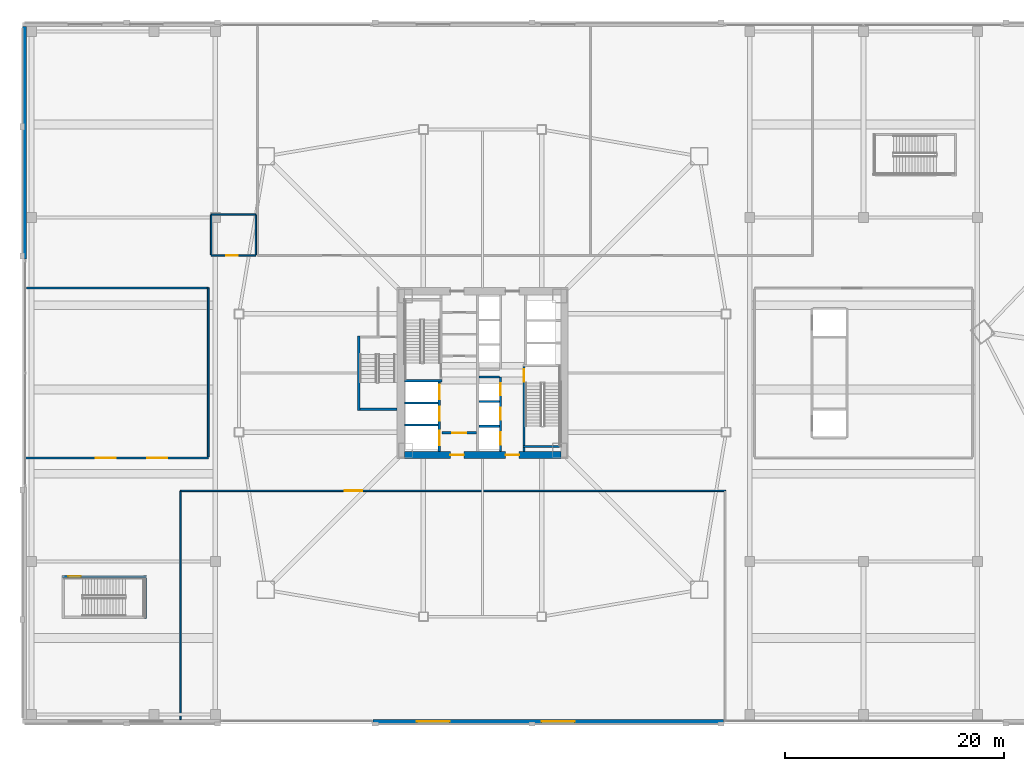
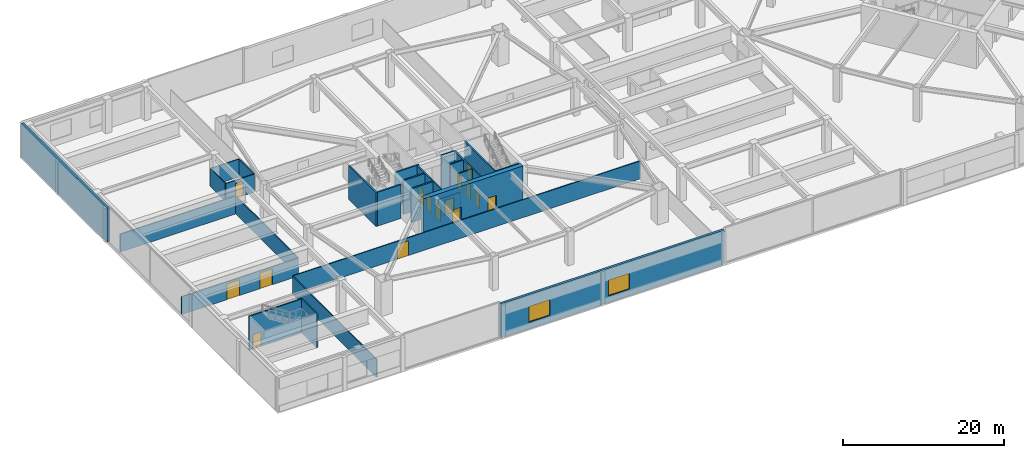
# One storey, part 34 of 48: 27 walls, 15 doors, 2 windows, 17 openings.
"""IFC4 building model written with IfcOpenShell, lengths in metres."""

from ifc_helpers import new_model, si_unit, direction, frame, frame_2d, origin, place, context, subcontext, project, spatial, rectangle, extrude, material, layer, layer_set, type_object, element, fill, save


model = new_model("IFC4")

# Units and contexts
model_context = context("Model", 3, precision=1e-05, world=origin(), true_north=direction((0.0, 1.0)))
body_context = subcontext(model_context, "Body", "Model", "MODEL_VIEW")
ifc_project = project(units=[si_unit("LENGTHUNIT", "METRE"), si_unit("AREAUNIT", "SQUARE_METRE"), si_unit("VOLUMEUNIT", "CUBIC_METRE"), si_unit("PLANEANGLEUNIT", "RADIAN"), si_unit("MASSUNIT", "GRAM", prefix="KILO")], contexts=[model_context])

# Site, building, storey
site_placement = place(None, origin())
site = spatial("IfcSite", under=ifc_project, at=site_placement, CompositionType="ELEMENT")
building_placement = place(site_placement, origin())
building = spatial("IfcBuilding", under=site, at=building_placement, Name="Tashvorn Skyway Center", CompositionType="ELEMENT")
storey_placement = place(building_placement, frame((0.0, 0.0, 10.199951171875)))
storey = spatial("IfcBuildingStorey", under=building, at=storey_placement, Name="L02", CompositionType="ELEMENT", Elevation=10.199951171875)

# Wall, openings, doors
ifc_material_1 = material(Name="Concrete C60/75", Category="concrete")
ifc_layer_1 = layer(ifc_material_1, 0.64990234375)
ifc_layer_set_1 = layer_set([ifc_layer_1], Name="Concrete C60/75")
wall_type_1 = type_object("IfcWallType", Name="WALL-CORE-650", PredefinedType="SHEAR", material=ifc_layer_set_1)
wall_1_placement = place(storey_placement, frame((49.14990234375, 24.52490234375, 0.0), z_axis=(0.0, 0.0, 1.0), x_axis=(-1.0, 0.0, 0.0)))
wall_1 = element("IfcWall", 1, at=wall_1_placement, inside=storey, type_object=wall_type_1, Name="Tower 1 L02 South Core Shear Wall", PredefinedType="SHEAR", context=body_context, shape_type="SweptSolid", body=[
    extrude(rectangle(XDim=14.2998046875, YDim=0.64990234375, at=frame_2d((7.14990234375, 0.0))), origin(), (0.0, 0.0, 1.0), 5.400146484375),
])
opening_1_placement = place(wall_1_placement, frame((8.85009765625, 0.0, 0.0)))
opening_1 = element("IfcOpeningElement", 2, at=opening_1_placement, cuts=wall_1, Name="Opening D-FFL-1250", PredefinedType="OPENING", context=body_context, shape_type="SweptSolid", body=[
    extrude(rectangle(XDim=1.25, YDim=2.25, at=frame_2d((0.625, 1.125))), frame((0.0, 0.3349609375, 0.0), z_axis=(0.0, -1.0, 0.0), x_axis=(1.0, 0.0, 0.0)), (0.0, 0.0, 1.0), 0.669921875),
])
opening_2_placement = place(wall_1_placement, frame((3.800048828125, 0.0, 0.0)))
opening_2 = element("IfcOpeningElement", 3, at=opening_2_placement, cuts=wall_1, Name="Opening D-FFL-1250", PredefinedType="OPENING", context=body_context, shape_type="SweptSolid", body=[
    extrude(rectangle(XDim=1.25, YDim=2.25, at=frame_2d((0.625, 1.125))), frame((0.0, 0.3349609375, 0.0), z_axis=(0.0, -1.0, 0.0), x_axis=(1.0, 0.0, 0.0)), (0.0, 0.0, 1.0), 0.669921875),
])
ifc_material_2 = material(Name="Hollow galvanized steel fire door assembly", Category="steel")
door_type_1 = type_object("IfcDoorType", Name="DOOR-FFL-1250", OperationType="NOTDEFINED", PredefinedType="DOOR", material=ifc_material_2)
door_1_placement = place(opening_1_placement, origin())
door_1 = element("IfcDoor", 4, at=door_1_placement, inside=storey, type_object=door_type_1, Name="Tower 1 L02 Core South Firefighting Exit Door", OperationType="SINGLE_SWING_LEFT", OverallHeight=2.25, OverallWidth=1.25, PredefinedType="DOOR", context=body_context, shape_type="SweptSolid", body=[
    extrude(rectangle(XDim=1.25, YDim=2.25, at=frame_2d((0.625, 1.125))), frame((0.0, 0.02490234375, 0.0), z_axis=(0.0, -1.0, 0.0), x_axis=(1.0, 0.0, 0.0)), (0.0, 0.0, 1.0), 0.050048828125),
])
fill(opening_1, door_1)
door_2_placement = place(opening_2_placement, origin())
door_2 = element("IfcDoor", 5, at=door_2_placement, inside=storey, type_object=door_type_1, Name="Tower 1 L02 Core South Lift Lobby Door", OperationType="SINGLE_SWING_RIGHT", OverallHeight=2.25, OverallWidth=1.25, PredefinedType="DOOR", context=body_context, shape_type="SweptSolid", body=[
    extrude(rectangle(XDim=1.25, YDim=2.25, at=frame_2d((0.625, 1.125))), frame((0.0, 0.02490234375, 0.0), z_axis=(0.0, -1.0, 0.0), x_axis=(1.0, 0.0, 0.0)), (0.0, 0.0, 1.0), 0.050048828125),
])
fill(opening_2, door_2)

# Wall, openings, windows
ifc_material_3 = material(Name="Precast concrete C40/50", Category="concrete")
ifc_layer_2 = layer(ifc_material_3, 0.35009765625)
ifc_layer_set_2 = layer_set([ifc_layer_2], Name="Precast concrete C40/50")
wall_type_2 = type_object("IfcWallType", Name="WALL-EXT-350", PredefinedType="SOLIDWALL", material=ifc_layer_set_2)
wall_2_placement = place(storey_placement, frame((64.0, 0.175048828125, 0.0), z_axis=(0.0, 0.0, 1.0), x_axis=(-1.0, 0.0, 0.0)))
wall_2 = element("IfcWall", 6, at=wall_2_placement, inside=storey, type_object=wall_type_2, Name="L02 South Postmodern Pier Wall M1", PredefinedType="SOLIDWALL", context=body_context, shape_type="SweptSolid", body=[
    extrude(rectangle(XDim=32.0, YDim=0.35009765625, at=frame_2d((16.0, 0.0))), origin(), (0.0, 0.0, 1.0), 5.14013671875),
])
opening_3_placement = place(wall_2_placement, frame((25.0, 0.0, 0.949951171875)))
opening_3 = element("IfcOpeningElement", 7, at=opening_3_placement, cuts=wall_2, Name="Opening WIN-3000", PredefinedType="OPENING", context=body_context, shape_type="SweptSolid", body=[
    extrude(rectangle(XDim=3.0, YDim=2.39990234375, at=frame_2d((1.5, 1.199951171875))), frame((0.0, 0.18505859375, 0.0), z_axis=(0.0, -1.0, 0.0), x_axis=(1.0, 0.0, 0.0)), (0.0, 0.0, 1.0), 0.3701171875),
])
opening_4_placement = place(wall_2_placement, frame((13.60009765625, 0.0, 0.949951171875)))
opening_4 = element("IfcOpeningElement", 8, at=opening_4_placement, cuts=wall_2, Name="Opening WIN-3000", PredefinedType="OPENING", context=body_context, shape_type="SweptSolid", body=[
    extrude(rectangle(XDim=3.0, YDim=2.39990234375, at=frame_2d((1.5, 1.199951171875))), frame((0.0, 0.18505859375, 0.0), z_axis=(0.0, -1.0, 0.0), x_axis=(1.0, 0.0, 0.0)), (0.0, 0.0, 1.0), 0.3701171875),
])
ifc_material_4 = material(Name="Low-E solar-control double insulating safety glass", Category="glass")
window_type = type_object("IfcWindowType", Name="WIN-POD-3000", PartitioningType="SINGLE_PANEL", PredefinedType="WINDOW", material=ifc_material_4)
window_1_placement = place(opening_3_placement, origin())
window_1 = element("IfcWindow", 9, at=window_1_placement, inside=storey, type_object=window_type, Name="L02 South Station Pier Window 03", OverallHeight=2.39990234375, OverallWidth=3.0, PartitioningType="SINGLE_PANEL", PredefinedType="WINDOW", context=body_context, shape_type="SweptSolid", body=[
    extrude(rectangle(XDim=3.0, YDim=2.39990234375, at=frame_2d((1.5, 1.199951171875))), frame((0.0, 0.030029296875, 0.0), z_axis=(0.0, -1.0, 0.0), x_axis=(1.0, 0.0, 0.0)), (0.0, 0.0, 1.0), 0.06005859375),
])
fill(opening_3, window_1)
window_2_placement = place(opening_4_placement, origin())
window_2 = element("IfcWindow", 10, at=window_2_placement, inside=storey, type_object=window_type, Name="L02 South Station Pier Window 04", OverallHeight=2.39990234375, OverallWidth=3.0, PartitioningType="SINGLE_PANEL", PredefinedType="WINDOW", context=body_context, shape_type="SweptSolid", body=[
    extrude(rectangle(XDim=3.0, YDim=2.39990234375, at=frame_2d((1.5, 1.199951171875))), frame((0.0, 0.030029296875, 0.0), z_axis=(0.0, -1.0, 0.0), x_axis=(1.0, 0.0, 0.0)), (0.0, 0.0, 1.0), 0.06005859375),
])
fill(opening_4, window_2)

# Wall
wall_3_placement = place(storey_placement, frame((0.175048828125, 42.39990234375, 0.0), z_axis=(0.0, 0.0, 1.0), x_axis=(0.0, 1.0, 0.0)))
element("IfcWall", 11, at=wall_3_placement, inside=storey, type_object=wall_type_2, Name="L02 West-North Postmodern Facade Wall", PredefinedType="SOLIDWALL", context=body_context, shape_type="SweptSolid", body=[
    extrude(rectangle(XDim=21.25, YDim=0.35009765625, at=frame_2d((10.625, 0.0))), origin(), (0.0, 0.0, 1.0), 5.14013671875),
])

# Wall, opening, door
ifc_material_5 = material(Name="Concrete C40/50", Category="concrete")
ifc_layer_3 = layer(ifc_material_5, 0.219970703125)
ifc_layer_set_3 = layer_set([ifc_layer_3], Name="Concrete C40/50")
wall_type_3 = type_object("IfcWallType", Name="WALL-FFL-220", PredefinedType="SOLIDWALL", material=ifc_layer_set_3)
wall_4_placement = place(storey_placement, frame((38.300048828125, 26.5400390625, 0.0), z_axis=(0.0, 0.0, 1.0), x_axis=(1.0, 0.0, 0.0)))
wall_4 = element("IfcWall", 12, at=wall_4_placement, inside=storey, type_object=wall_type_3, Name="Tower 1 L02 Firefighting Lobby South Wall", PredefinedType="SOLIDWALL", context=body_context, shape_type="SweptSolid", body=[
    extrude(rectangle(XDim=3.14990234375, YDim=0.219970703125, at=frame_2d((1.574951171875, 0.0))), origin(), (0.0, 0.0, 1.0), 2.7099609375),
])
opening_5_placement = place(wall_4_placement, frame((0.949951171875, 0.0, 0.0)))
opening_5 = element("IfcOpeningElement", 13, at=opening_5_placement, cuts=wall_4, Name="Opening D-FFL-1250", PredefinedType="OPENING", context=body_context, shape_type="SweptSolid", body=[
    extrude(rectangle(XDim=1.25, YDim=2.25, at=frame_2d((0.625, 1.125))), frame((0.0, 0.119873046875, 0.0), z_axis=(0.0, -1.0, 0.0), x_axis=(1.0, 0.0, 0.0)), (0.0, 0.0, 1.0), 0.239990234375),
])
door_3_placement = place(opening_5_placement, origin())
door_3 = element("IfcDoor", 14, at=door_3_placement, inside=storey, type_object=door_type_1, Name="Tower 1 L02 Firefighting Lobby Egress Door", OperationType="SINGLE_SWING_LEFT", OverallHeight=2.25, OverallWidth=1.25, PredefinedType="DOOR", context=body_context, shape_type="SweptSolid", body=[
    extrude(rectangle(XDim=1.25, YDim=2.25, at=frame_2d((0.625, 1.125))), frame((0.0, 0.02490234375, 0.0), z_axis=(0.0, -1.0, 0.0), x_axis=(1.0, 0.0, 0.0)), (0.0, 0.0, 1.0), 0.050048828125),
])
fill(opening_5, door_3)

ifc_material_6 = material(Name="Gypsum board on cold-formed steel stud framing", Category="steel")
ifc_layer_4 = layer(ifc_material_6, 0.135009765625)
ifc_layer_set_4 = layer_set([ifc_layer_4], Name="Gypsum board on cold-formed steel stud framing")
wall_type_4 = type_object("IfcWallType", Name="WALL-PART-135", PredefinedType="PARTITIONING", material=ifc_layer_set_4)
wall_5_placement = place(storey_placement, frame((14.39990234375, 21.25, 0.0), z_axis=(0.0, 0.0, 1.0), x_axis=(1.0, 0.0, 0.0)))
wall_5 = element("IfcWall", 15, at=wall_5_placement, inside=storey, type_object=wall_type_4, Name="L02 South Suite Corridor Wall", PredefinedType="PARTITIONING", context=body_context, shape_type="SweptSolid", body=[
    extrude(rectangle(XDim=49.800048828125, YDim=0.135009765625, at=frame_2d((24.89990234375, 0.0))), origin(), (0.0, 0.0, 1.0), 2.7099609375),
])
opening_6_placement = place(wall_5_placement, frame((15.0, 0.0, 0.0)))
opening_6 = element("IfcOpeningElement", 16, at=opening_6_placement, cuts=wall_5, Name="Opening D-DBL-1600", PredefinedType="OPENING", context=body_context, shape_type="SweptSolid", body=[
    extrude(rectangle(XDim=1.60009765625, YDim=2.25, at=frame_2d((0.800048828125, 1.125))), frame((0.0, 0.077392578125, 0.0), z_axis=(0.0, -1.0, 0.0), x_axis=(1.0, 0.0, 0.0)), (0.0, 0.0, 1.0), 0.155029296875),
])
ifc_material_7 = material(Name="Anodized aluminium and tempered safety glass", Category="aluminium")
door_type_2 = type_object("IfcDoorType", Name="DOOR-DBL-1600", OperationType="DOUBLE_DOOR_SINGLE_SWING", PredefinedType="DOOR", material=ifc_material_7)
door_4_placement = place(opening_6_placement, origin())
door_4 = element("IfcDoor", 17, at=door_4_placement, inside=storey, type_object=door_type_2, Name="L02 South Briefing Suite Door", OperationType="DOUBLE_DOOR_SINGLE_SWING", OverallHeight=2.25, OverallWidth=1.60009765625, PredefinedType="DOOR", context=body_context, shape_type="SweptSolid", body=[
    extrude(rectangle(XDim=1.60009765625, YDim=2.25, at=frame_2d((0.800048828125, 1.125))), frame((0.0, 0.02490234375, 0.0), z_axis=(0.0, -1.0, 0.0), x_axis=(1.0, 0.0, 0.0)), (0.0, 0.0, 1.0), 0.050048828125),
])
fill(opening_6, door_4)

# Wall
wall_6_placement = place(storey_placement, frame((14.39990234375, 0.35009765625, 0.0), z_axis=(0.0, 0.0, 1.0), x_axis=(0.0, 1.0, 0.0)))
element("IfcWall", 18, at=wall_6_placement, inside=storey, type_object=wall_type_4, Name="L02 South Suite West Wall", PredefinedType="PARTITIONING", context=body_context, shape_type="SweptSolid", body=[
    extrude(rectangle(XDim=20.849853515625, YDim=0.135009765625, at=frame_2d((10.4248046875, 0.0))), origin(), (0.0, 0.0, 1.0), 2.7099609375),
])

# Wall, opening, door
wall_7_placement = place(storey_placement, frame((17.199951171875, 42.719970703125, 0.0), z_axis=(0.0, 0.0, 1.0), x_axis=(1.0, 0.0, 0.0)))
wall_7 = element("IfcWall", 19, at=wall_7_placement, inside=storey, type_object=wall_type_4, Name="L02 Restroom South Wall", PredefinedType="PARTITIONING", context=body_context, shape_type="SweptSolid", body=[
    extrude(rectangle(XDim=4.10009765625, YDim=0.135009765625, at=frame_2d((2.050048828125, 0.0))), origin(), (0.0, 0.0, 1.0), 2.7099609375),
])
opening_7_placement = place(wall_7_placement, frame((1.39990234375, 0.0, 0.0)))
opening_7 = element("IfcOpeningElement", 20, at=opening_7_placement, cuts=wall_7, Name="Opening D-ACC-1050", PredefinedType="OPENING", context=body_context, shape_type="SweptSolid", body=[
    extrude(rectangle(XDim=1.050048828125, YDim=2.199951171875, at=frame_2d((0.52490234375, 1.10009765625))), frame((0.0, 0.077392578125, 0.0), z_axis=(0.0, -1.0, 0.0), x_axis=(1.0, 0.0, 0.0)), (0.0, 0.0, 1.0), 0.155029296875),
])
ifc_material_8 = material(Name="Solid-core architectural oak veneer door")
door_type_3 = type_object("IfcDoorType", Name="DOOR-ACC-1050", OperationType="NOTDEFINED", PredefinedType="DOOR", material=ifc_material_8)
door_5_placement = place(opening_7_placement, origin())
door_5 = element("IfcDoor", 21, at=door_5_placement, inside=storey, type_object=door_type_3, Name="L02 Accessible Restroom Door", OperationType="SINGLE_SWING_RIGHT", OverallHeight=2.199951171875, OverallWidth=1.050048828125, PredefinedType="DOOR", context=body_context, shape_type="SweptSolid", body=[
    extrude(rectangle(XDim=1.050048828125, YDim=2.199951171875, at=frame_2d((0.52490234375, 1.10009765625))), frame((0.0, 0.02490234375, 0.0), z_axis=(0.0, -1.0, 0.0), x_axis=(1.0, 0.0, 0.0)), (0.0, 0.0, 1.0), 0.050048828125),
])
fill(opening_7, door_5)

# Walls
wall_8_placement = place(storey_placement, frame((17.199951171875, 46.5, 0.0), z_axis=(0.0, 0.0, 1.0), x_axis=(1.0, 0.0, 0.0)))
element("IfcWall", 22, at=wall_8_placement, inside=storey, type_object=wall_type_4, Name="L02 Restroom North Wall", PredefinedType="PARTITIONING", context=body_context, shape_type="SweptSolid", body=[
    extrude(rectangle(XDim=4.10009765625, YDim=0.135009765625, at=frame_2d((2.050048828125, 0.0))), origin(), (0.0, 0.0, 1.0), 2.7099609375),
])
for number, where, z_axis, x_axis, name in (
    (23, (17.199951171875, 42.800048828125, 0.0), (0.0, 0.0, 1.0), (0.0, 1.0, 0.0), "L02 Restroom West Wall"),
    (24, (21.300048828125, 42.800048828125, 0.0), (0.0, 0.0, 1.0), (0.0, 1.0, 0.0), "L02 Restroom East Wall"),
):
    element("IfcWall", number, at=place(storey_placement, frame(where, z_axis=z_axis, x_axis=x_axis)), inside=storey, type_object=wall_type_4, Name=name, PredefinedType="PARTITIONING", context=body_context, shape_type="SweptSolid", body=[
        extrude(rectangle(XDim=3.64990234375, YDim=0.135009765625, at=frame_2d((1.824951171875, 0.0))), origin(), (0.0, 0.0, 1.0), 2.7099609375),
    ])

# Wall, openings, doors
ifc_layer_5 = layer(ifc_material_6, 0.159912109375)
ifc_layer_set_5 = layer_set([ifc_layer_5], Name="Gypsum board on cold-formed steel stud framing")
wall_type_5 = type_object("IfcWallType", Name="WALL-RATED-160", PredefinedType="PARTITIONING", material=ifc_layer_set_5)
wall_9_placement = place(storey_placement, frame((0.179931640625, 24.25, 0.0), z_axis=(0.0, 0.0, 1.0), x_axis=(1.0, 0.0, 0.0)))
wall_9 = element("IfcWall", 25, at=wall_9_placement, inside=storey, type_object=wall_type_5, Name="L02 Auditorium South Acoustic Wall", PredefinedType="PARTITIONING", context=body_context, shape_type="SweptSolid", body=[
    extrude(rectangle(XDim=16.77001953125, YDim=0.159912109375, at=frame_2d((8.385009765625, 0.0))), origin(), (0.0, 0.0, 1.0), 2.7099609375),
])
opening_8_placement = place(wall_9_placement, frame((6.5, 0.0, 0.0)))
opening_8 = element("IfcOpeningElement", 26, at=opening_8_placement, cuts=wall_9, Name="Opening D-DBL-1800", PredefinedType="OPENING", context=body_context, shape_type="SweptSolid", body=[
    extrude(rectangle(XDim=1.800048828125, YDim=2.39990234375, at=frame_2d((0.89990234375, 1.199951171875))), frame((0.0, 0.08984375, 0.0), z_axis=(0.0, -1.0, 0.0), x_axis=(1.0, 0.0, 0.0)), (0.0, 0.0, 1.0), 0.179931640625),
])
opening_9_placement = place(wall_9_placement, frame((11.199951171875, 0.0, 0.0)))
opening_9 = element("IfcOpeningElement", 27, at=opening_9_placement, cuts=wall_9, Name="Opening D-DBL-1800", PredefinedType="OPENING", context=body_context, shape_type="SweptSolid", body=[
    extrude(rectangle(XDim=1.800048828125, YDim=2.39990234375, at=frame_2d((0.89990234375, 1.199951171875))), frame((0.0, 0.08984375, 0.0), z_axis=(0.0, -1.0, 0.0), x_axis=(1.0, 0.0, 0.0)), (0.0, 0.0, 1.0), 0.179931640625),
])
door_type_4 = type_object("IfcDoorType", Name="DOOR-DBL-1800", OperationType="DOUBLE_DOOR_SINGLE_SWING", PredefinedType="DOOR", material=ifc_material_2)
door_6_placement = place(opening_8_placement, origin())
door_6 = element("IfcDoor", 28, at=door_6_placement, inside=storey, type_object=door_type_4, Name="L02 Auditorium Main Entrance Pair", OperationType="DOUBLE_DOOR_SINGLE_SWING", OverallHeight=2.39990234375, OverallWidth=1.800048828125, PredefinedType="DOOR", context=body_context, shape_type="SweptSolid", body=[
    extrude(rectangle(XDim=1.800048828125, YDim=2.39990234375, at=frame_2d((0.89990234375, 1.199951171875))), frame((0.0, 0.02490234375, 0.0), z_axis=(0.0, -1.0, 0.0), x_axis=(1.0, 0.0, 0.0)), (0.0, 0.0, 1.0), 0.050048828125),
])
fill(opening_8, door_6)
door_7_placement = place(opening_9_placement, origin())
door_7 = element("IfcDoor", 29, at=door_7_placement, inside=storey, type_object=door_type_4, Name="L02 Auditorium Second Egress Pair", OperationType="DOUBLE_DOOR_SINGLE_SWING", OverallHeight=2.39990234375, OverallWidth=1.800048828125, PredefinedType="DOOR", context=body_context, shape_type="SweptSolid", body=[
    extrude(rectangle(XDim=1.800048828125, YDim=2.39990234375, at=frame_2d((0.89990234375, 1.199951171875))), frame((0.0, 0.02490234375, 0.0), z_axis=(0.0, -1.0, 0.0), x_axis=(1.0, 0.0, 0.0)), (0.0, 0.0, 1.0), 0.050048828125),
])
fill(opening_9, door_7)

# Walls
wall_10_placement = place(storey_placement, frame((16.949951171875, 24.35009765625, 0.0), z_axis=(0.0, 0.0, 1.0), x_axis=(0.0, 1.0, 0.0)))
element("IfcWall", 30, at=wall_10_placement, inside=storey, type_object=wall_type_5, Name="L02 Auditorium East Acoustic Wall", PredefinedType="PARTITIONING", context=body_context, shape_type="SweptSolid", body=[
    extrude(rectangle(XDim=15.429931640625, YDim=0.159912109375, at=frame_2d((7.71484375, 0.0))), origin(), (0.0, 0.0, 1.0), 2.7099609375),
])
wall_11_placement = place(storey_placement, frame((0.35009765625, 39.780029296875, 0.0), z_axis=(0.0, 0.0, 1.0), x_axis=(1.0, 0.0, 0.0)))
element("IfcWall", 31, at=wall_11_placement, inside=storey, type_object=wall_type_5, Name="L02 Auditorium North Acoustic Wall", PredefinedType="PARTITIONING", context=body_context, shape_type="SweptSolid", body=[
    extrude(rectangle(XDim=16.599853515625, YDim=0.159912109375, at=frame_2d((8.2998046875, 0.0))), origin(), (0.0, 0.0, 1.0), 2.7099609375),
])
ifc_layer_6 = layer(ifc_material_5, 0.199951171875)
ifc_layer_set_6 = layer_set([ifc_layer_6], Name="Concrete C40/50")
wall_type_6 = type_object("IfcWallType", Name="WALL-SHAFT-200", PredefinedType="SOLIDWALL", material=ifc_layer_set_6)
for number, where, z_axis, x_axis, name in (
    (32, (34.85009765625, 27.25, 0.0), (0.0, 0.0, 1.0), (1.0, 0.0, 0.0), "Tower 1 L02 FSAE Shaft Divider"),
    (33, (34.85009765625, 29.280029296875, 0.0), (0.0, 0.0, 1.0), (1.0, 0.0, 0.0), "Tower 1 L02 FSAE Shaft Divider"),
):
    element("IfcWall", number, at=place(storey_placement, frame(where, z_axis=z_axis, x_axis=x_axis)), inside=storey, type_object=wall_type_6, Name=name, PredefinedType="SOLIDWALL", context=body_context, shape_type="SweptSolid", body=[
        extrude(rectangle(XDim=3.099853515625, YDim=0.199951171875, at=frame_2d((1.5498046875, 0.0))), origin(), (0.0, 0.0, 1.0), 5.14013671875),
    ])

# Wall, openings, doors
wall_12_placement = place(storey_placement, frame((43.64990234375, 24.85009765625, 0.0), z_axis=(0.0, 0.0, 1.0), x_axis=(0.0, 1.0, 0.0)))
wall_12 = element("IfcWall", 34, at=wall_12_placement, inside=storey, type_object=wall_type_6, Name="Tower 1 L02 Low-Rise Core Wall", PredefinedType="SOLIDWALL", context=body_context, shape_type="SweptSolid", body=[
    extrude(rectangle(XDim=6.7998046875, YDim=0.199951171875, at=frame_2d((3.39990234375, 0.0))), origin(), (0.0, 0.0, 1.0), 5.14013671875),
])
opening_10_placement = place(wall_12_placement, frame((0.625, 0.0, 0.0)))
opening_10 = element("IfcOpeningElement", 35, at=opening_10_placement, cuts=wall_12, Name="Opening LD-LR-T1-1-L02", PredefinedType="OPENING", context=body_context, shape_type="SweptSolid", body=[
    extrude(rectangle(XDim=1.10009765625, YDim=2.199951171875, at=frame_2d((0.550048828125, 1.10009765625))), frame((0.0, 0.10986328125, 0.0), z_axis=(0.0, -1.0, 0.0), x_axis=(1.0, 0.0, 0.0)), (0.0, 0.0, 1.0), 0.219970703125),
])
opening_11_placement = place(wall_12_placement, frame((2.875, 0.0, 0.0)))
opening_11 = element("IfcOpeningElement", 36, at=opening_11_placement, cuts=wall_12, Name="Opening LD-LR-T1-2-L02", PredefinedType="OPENING", context=body_context, shape_type="SweptSolid", body=[
    extrude(rectangle(XDim=1.10009765625, YDim=2.199951171875, at=frame_2d((0.550048828125, 1.10009765625))), frame((0.0, 0.10986328125, 0.0), z_axis=(0.0, -1.0, 0.0), x_axis=(1.0, 0.0, 0.0)), (0.0, 0.0, 1.0), 0.219970703125),
])
opening_12_placement = place(wall_12_placement, frame((5.125, 0.0, 0.0)))
opening_12 = element("IfcOpeningElement", 37, at=opening_12_placement, cuts=wall_12, Name="Opening LD-LR-T1-3-L02", PredefinedType="OPENING", context=body_context, shape_type="SweptSolid", body=[
    extrude(rectangle(XDim=1.10009765625, YDim=2.199951171875, at=frame_2d((0.550048828125, 1.10009765625))), frame((0.0, 0.10986328125, 0.0), z_axis=(0.0, -1.0, 0.0), x_axis=(1.0, 0.0, 0.0)), (0.0, 0.0, 1.0), 0.219970703125),
])
ifc_material_9 = material(Name="Stainless steel landing door", Category="steel")
door_type_5 = type_object("IfcDoorType", Name="DOOR-LIFT-1100", OperationType="SLIDING_TO_LEFT", PredefinedType="DOOR", material=ifc_material_9)
door_8_placement = place(opening_10_placement, origin())
door_8 = element("IfcDoor", 38, at=door_8_placement, inside=storey, type_object=door_type_5, Name="Lift LR-T1-1 L02 Landing Door", OperationType="SLIDING_TO_LEFT", OverallHeight=2.199951171875, OverallWidth=1.10009765625, PredefinedType="DOOR", context=body_context, shape_type="SweptSolid", body=[
    extrude(rectangle(XDim=1.10009765625, YDim=2.199951171875, at=frame_2d((0.550048828125, 1.10009765625))), frame((0.0, 0.02490234375, 0.0), z_axis=(0.0, -1.0, 0.0), x_axis=(1.0, 0.0, 0.0)), (0.0, 0.0, 1.0), 0.050048828125),
])
fill(opening_10, door_8)
door_9_placement = place(opening_11_placement, origin())
door_9 = element("IfcDoor", 39, at=door_9_placement, inside=storey, type_object=door_type_5, Name="Lift LR-T1-2 L02 Landing Door", OperationType="SLIDING_TO_LEFT", OverallHeight=2.199951171875, OverallWidth=1.10009765625, PredefinedType="DOOR", context=body_context, shape_type="SweptSolid", body=[
    extrude(rectangle(XDim=1.10009765625, YDim=2.199951171875, at=frame_2d((0.550048828125, 1.10009765625))), frame((0.0, 0.02490234375, 0.0), z_axis=(0.0, -1.0, 0.0), x_axis=(1.0, 0.0, 0.0)), (0.0, 0.0, 1.0), 0.050048828125),
])
fill(opening_11, door_9)
door_10_placement = place(opening_12_placement, origin())
door_10 = element("IfcDoor", 40, at=door_10_placement, inside=storey, type_object=door_type_5, Name="Lift LR-T1-3 L02 Landing Door", OperationType="SLIDING_TO_LEFT", OverallHeight=2.199951171875, OverallWidth=1.10009765625, PredefinedType="DOOR", context=body_context, shape_type="SweptSolid", body=[
    extrude(rectangle(XDim=1.10009765625, YDim=2.199951171875, at=frame_2d((0.550048828125, 1.10009765625))), frame((0.0, 0.02490234375, 0.0), z_axis=(0.0, -1.0, 0.0), x_axis=(1.0, 0.0, 0.0)), (0.0, 0.0, 1.0), 0.050048828125),
])
fill(opening_12, door_10)

# Walls
for number, where, z_axis, x_axis, name in (
    (41, (41.669921875, 27.14990234375, 0.0), (0.0, 0.0, 1.0), (1.0, 0.0, 0.0), "Tower 1 L02 Low-Rise Shaft Divider"),
    (42, (41.669921875, 29.39990234375, 0.0), (0.0, 0.0, 1.0), (1.0, 0.0, 0.0), "Tower 1 L02 Low-Rise Shaft Divider"),
    (43, (41.669921875, 31.64990234375, 0.0), (0.0, 0.0, 1.0), (1.0, 0.0, 0.0), "Tower 1 L02 Low-Rise Shaft Divider"),
):
    element("IfcWall", number, at=place(storey_placement, frame(where, z_axis=z_axis, x_axis=x_axis)), inside=storey, type_object=wall_type_6, Name=name, PredefinedType="SOLIDWALL", context=body_context, shape_type="SweptSolid", body=[
        extrude(rectangle(XDim=1.880126953125, YDim=0.199951171875, at=frame_2d((0.93994140625, 0.0))), origin(), (0.0, 0.0, 1.0), 5.14013671875),
    ])
ifc_layer_7 = layer(ifc_material_5, 0.199951171875)
ifc_layer_set_7 = layer_set([ifc_layer_7], Name="Concrete C40/50")
wall_type_7 = type_object("IfcWallType", Name="WALL-STSHF-200", PredefinedType="SHEAR", material=ifc_layer_set_7)
wall_13_placement = place(storey_placement, frame((34.85009765625, 31.300048828125, 0.0), z_axis=(0.0, 0.0, 1.0), x_axis=(1.0, 0.0, 0.0)))
element("IfcWall", 44, at=wall_13_placement, inside=storey, type_object=wall_type_7, Name="Tower 1 L02 Stair 1 South Wall", PredefinedType="SHEAR", context=body_context, shape_type="SweptSolid", body=[
    extrude(rectangle(XDim=3.449951171875, YDim=0.199951171875, at=frame_2d((1.72509765625, 0.0))), origin(), (0.0, 0.0, 1.0), 5.14013671875),
])

# Wall, opening, door
wall_14_placement = place(storey_placement, frame((45.800048828125, 32.800048828125, 0.0), z_axis=(0.0, 0.0, 1.0), x_axis=(0.0, -1.0, 0.0)))
wall_14 = element("IfcWall", 45, at=wall_14_placement, inside=storey, type_object=wall_type_7, Name="Tower 1 L02 Stair 2 Enclosure Wall", PredefinedType="SHEAR", context=body_context, shape_type="SweptSolid", body=[
    extrude(rectangle(XDim=7.949951171875, YDim=0.199951171875, at=frame_2d((3.97509765625, 0.0))), origin(), (0.0, 0.0, 1.0), 5.14013671875),
])
opening_13_placement = place(wall_14_placement, frame((0.449951171875, 0.0, 0.0)))
opening_13 = element("IfcOpeningElement", 46, at=opening_13_placement, cuts=wall_14, Name="Opening D-ST-1150", PredefinedType="OPENING", context=body_context, shape_type="SweptSolid", body=[
    extrude(rectangle(XDim=1.14990234375, YDim=2.199951171875, at=frame_2d((0.574951171875, 1.10009765625))), frame((0.0, 0.10986328125, 0.0), z_axis=(0.0, -1.0, 0.0), x_axis=(1.0, 0.0, 0.0)), (0.0, 0.0, 1.0), 0.219970703125),
])
door_type_6 = type_object("IfcDoorType", Name="DOOR-STAIR-1150", OperationType="NOTDEFINED", PredefinedType="DOOR", material=ifc_material_2)
door_11_placement = place(opening_13_placement, origin())
door_11 = element("IfcDoor", 47, at=door_11_placement, inside=storey, type_object=door_type_6, Name="Tower 1 L02 Exit Stair 2 Door", OperationType="SINGLE_SWING_RIGHT", OverallHeight=2.199951171875, OverallWidth=1.14990234375, PredefinedType="DOOR", context=body_context, shape_type="SweptSolid", body=[
    extrude(rectangle(XDim=1.14990234375, YDim=2.199951171875, at=frame_2d((0.574951171875, 1.10009765625))), frame((0.0, 0.02490234375, 0.0), z_axis=(0.0, -1.0, 0.0), x_axis=(1.0, 0.0, 0.0)), (0.0, 0.0, 1.0), 0.050048828125),
])
fill(opening_13, door_11)

# Wall
wall_15_placement = place(storey_placement, frame((45.699951171875, 25.300048828125, 0.0), z_axis=(0.0, 0.0, 1.0), x_axis=(1.0, 0.0, 0.0)))
element("IfcWall", 48, at=wall_15_placement, inside=storey, type_object=wall_type_7, Name="Tower 1 L02 Stair 2 South Wall", PredefinedType="SHEAR", context=body_context, shape_type="SweptSolid", body=[
    extrude(rectangle(XDim=3.449951171875, YDim=0.199951171875, at=frame_2d((1.72509765625, 0.0))), origin(), (0.0, 0.0, 1.0), 5.14013671875),
])

# Wall, openings, doors
wall_16_placement = place(storey_placement, frame((38.050048828125, 24.85009765625, 0.0), z_axis=(0.0, 0.0, 1.0), x_axis=(0.0, 1.0, 0.0)))
wall_16 = element("IfcWall", 49, at=wall_16_placement, inside=storey, type_object=wall_type_7, Name="Tower 1 L02 FSAE and Goods Shaft Front Wall", PredefinedType="SHEAR", context=body_context, shape_type="SweptSolid", body=[
    extrude(rectangle(XDim=6.349853515625, YDim=0.199951171875, at=frame_2d((3.1748046875, 0.0))), origin(), (0.0, 0.0, 1.0), 5.14013671875),
])
opening_14_placement = place(wall_16_placement, frame((4.77490234375, 0.0, 0.0)))
opening_14 = element("IfcOpeningElement", 50, at=opening_14_placement, cuts=wall_16, Name="Opening LD-FF-T1-1-L02", PredefinedType="OPENING", context=body_context, shape_type="SweptSolid", body=[
    extrude(rectangle(XDim=1.300048828125, YDim=2.25, at=frame_2d((0.64990234375, 1.125))), frame((0.0, 0.10986328125, 0.0), z_axis=(0.0, -1.0, 0.0), x_axis=(1.0, 0.0, 0.0)), (0.0, 0.0, 1.0), 0.219970703125),
])
opening_15_placement = place(wall_16_placement, frame((2.77490234375, 0.0, 0.0)))
opening_15 = element("IfcOpeningElement", 51, at=opening_15_placement, cuts=wall_16, Name="Opening LD-FF-T1-2-L02", PredefinedType="OPENING", context=body_context, shape_type="SweptSolid", body=[
    extrude(rectangle(XDim=1.300048828125, YDim=2.25, at=frame_2d((0.64990234375, 1.125))), frame((0.0, 0.10986328125, 0.0), z_axis=(0.0, -1.0, 0.0), x_axis=(1.0, 0.0, 0.0)), (0.0, 0.0, 1.0), 0.219970703125),
])
opening_16_placement = place(wall_16_placement, frame((0.574951171875, 0.0, 0.0)))
opening_16 = element("IfcOpeningElement", 52, at=opening_16_placement, cuts=wall_16, Name="Opening LD-GD-T1-1-L02", PredefinedType="OPENING", context=body_context, shape_type="SweptSolid", body=[
    extrude(rectangle(XDim=1.300048828125, YDim=2.25, at=frame_2d((0.64990234375, 1.125))), frame((0.0, 0.10986328125, 0.0), z_axis=(0.0, -1.0, 0.0), x_axis=(1.0, 0.0, 0.0)), (0.0, 0.0, 1.0), 0.219970703125),
])
ifc_material_10 = material(Name="Stainless steel heavy-duty landing door", Category="steel")
door_type_7 = type_object("IfcDoorType", Name="DOOR-LIFT-1300", OperationType="SLIDING_TO_LEFT", PredefinedType="DOOR", material=ifc_material_10)
door_12_placement = place(opening_14_placement, origin())
door_12 = element("IfcDoor", 53, at=door_12_placement, inside=storey, type_object=door_type_7, Name="Lift FF-T1-1 L02 Landing Door", OperationType="SLIDING_TO_LEFT", OverallHeight=2.25, OverallWidth=1.300048828125, PredefinedType="DOOR", context=body_context, shape_type="SweptSolid", body=[
    extrude(rectangle(XDim=1.300048828125, YDim=2.25, at=frame_2d((0.64990234375, 1.125))), frame((0.0, 0.02490234375, 0.0), z_axis=(0.0, -1.0, 0.0), x_axis=(1.0, 0.0, 0.0)), (0.0, 0.0, 1.0), 0.050048828125),
])
fill(opening_14, door_12)
door_13_placement = place(opening_15_placement, origin())
door_13 = element("IfcDoor", 54, at=door_13_placement, inside=storey, type_object=door_type_7, Name="Lift FF-T1-2 L02 Landing Door", OperationType="SLIDING_TO_LEFT", OverallHeight=2.25, OverallWidth=1.300048828125, PredefinedType="DOOR", context=body_context, shape_type="SweptSolid", body=[
    extrude(rectangle(XDim=1.300048828125, YDim=2.25, at=frame_2d((0.64990234375, 1.125))), frame((0.0, 0.02490234375, 0.0), z_axis=(0.0, -1.0, 0.0), x_axis=(1.0, 0.0, 0.0)), (0.0, 0.0, 1.0), 0.050048828125),
])
fill(opening_15, door_13)
door_14_placement = place(opening_16_placement, origin())
door_14 = element("IfcDoor", 55, at=door_14_placement, inside=storey, type_object=door_type_7, Name="Lift GD-T1-1 L02 Landing Door", OperationType="SLIDING_TO_LEFT", OverallHeight=2.25, OverallWidth=1.300048828125, PredefinedType="DOOR", context=body_context, shape_type="SweptSolid", body=[
    extrude(rectangle(XDim=1.300048828125, YDim=2.25, at=frame_2d((0.64990234375, 1.125))), frame((0.0, 0.02490234375, 0.0), z_axis=(0.0, -1.0, 0.0), x_axis=(1.0, 0.0, 0.0)), (0.0, 0.0, 1.0), 0.050048828125),
])
fill(opening_16, door_14)

# Walls
wall_17_placement = place(storey_placement, frame((30.699951171875, 28.60009765625, 0.0), z_axis=(0.0, 0.0, 1.0), x_axis=(0.0, 1.0, 0.0)))
element("IfcWall", 56, at=wall_17_placement, inside=storey, type_object=wall_type_7, Name="Tower 1 L02 Stair 3 Outer Wall", PredefinedType="SHEAR", context=body_context, shape_type="SweptSolid", body=[
    extrude(rectangle(XDim=6.7998046875, YDim=0.199951171875, at=frame_2d((3.39990234375, 0.0))), origin(), (0.0, 0.0, 1.0), 5.14013671875),
])
wall_18_placement = place(storey_placement, frame((30.800048828125, 28.699951171875, 0.0), z_axis=(0.0, 0.0, 1.0), x_axis=(1.0, 0.0, 0.0)))
element("IfcWall", 57, at=wall_18_placement, inside=storey, type_object=wall_type_7, Name="Tower 1 L02 Stair 3 South Wall", PredefinedType="SHEAR", context=body_context, shape_type="SweptSolid", body=[
    extrude(rectangle(XDim=3.39990234375, YDim=0.199951171875, at=frame_2d((1.699951171875, 0.0))), origin(), (0.0, 0.0, 1.0), 5.14013671875),
])

# Wall, opening, door
wall_19_placement = place(storey_placement, frame((11.300048828125, 13.39990234375, 0.0), z_axis=(0.0, 0.0, 1.0), x_axis=(-1.0, 0.0, 0.0)))
wall_19 = element("IfcWall", 58, at=wall_19_placement, inside=storey, type_object=wall_type_7, Name="L02 Podium Stair 1 North Wall", PredefinedType="SHEAR", context=body_context, shape_type="SweptSolid", body=[
    extrude(rectangle(XDim=7.699951171875, YDim=0.199951171875, at=frame_2d((3.85009765625, 0.0))), origin(), (0.0, 0.0, 1.0), 5.14013671875),
])
opening_17_placement = place(wall_19_placement, frame((6.0, 0.0, 0.0)))
opening_17 = element("IfcOpeningElement", 59, at=opening_17_placement, cuts=wall_19, Name="Opening D-ST-1150", PredefinedType="OPENING", context=body_context, shape_type="SweptSolid", body=[
    extrude(rectangle(XDim=1.14990234375, YDim=2.199951171875, at=frame_2d((0.574951171875, 1.10009765625))), frame((0.0, 0.10986328125, 0.0), z_axis=(0.0, -1.0, 0.0), x_axis=(1.0, 0.0, 0.0)), (0.0, 0.0, 1.0), 0.219970703125),
])
door_15_placement = place(opening_17_placement, origin())
door_15 = element("IfcDoor", 60, at=door_15_placement, inside=storey, type_object=door_type_6, Name="L02 Podium Stair 1 Door", OperationType="SINGLE_SWING_LEFT", OverallHeight=2.199951171875, OverallWidth=1.14990234375, PredefinedType="DOOR", context=body_context, shape_type="SweptSolid", body=[
    extrude(rectangle(XDim=1.14990234375, YDim=2.199951171875, at=frame_2d((0.574951171875, 1.10009765625))), frame((0.0, 0.02490234375, 0.0), z_axis=(0.0, -1.0, 0.0), x_axis=(1.0, 0.0, 0.0)), (0.0, 0.0, 1.0), 0.050048828125),
])
fill(opening_17, door_15)

# Wall
wall_20_placement = place(storey_placement, frame((11.199951171875, 9.60009765625, 0.0), z_axis=(0.0, 0.0, 1.0), x_axis=(0.0, 1.0, 0.0)))
element("IfcWall", 61, at=wall_20_placement, inside=storey, type_object=wall_type_7, Name="L02 Podium Stair 1 East Wall", PredefinedType="SHEAR", context=body_context, shape_type="SweptSolid", body=[
    extrude(rectangle(XDim=3.89990234375, YDim=0.199951171875, at=frame_2d((1.949951171875, 0.0))), origin(), (0.0, 0.0, 1.0), 5.14013671875),
])

save(model, "model.ifc")
